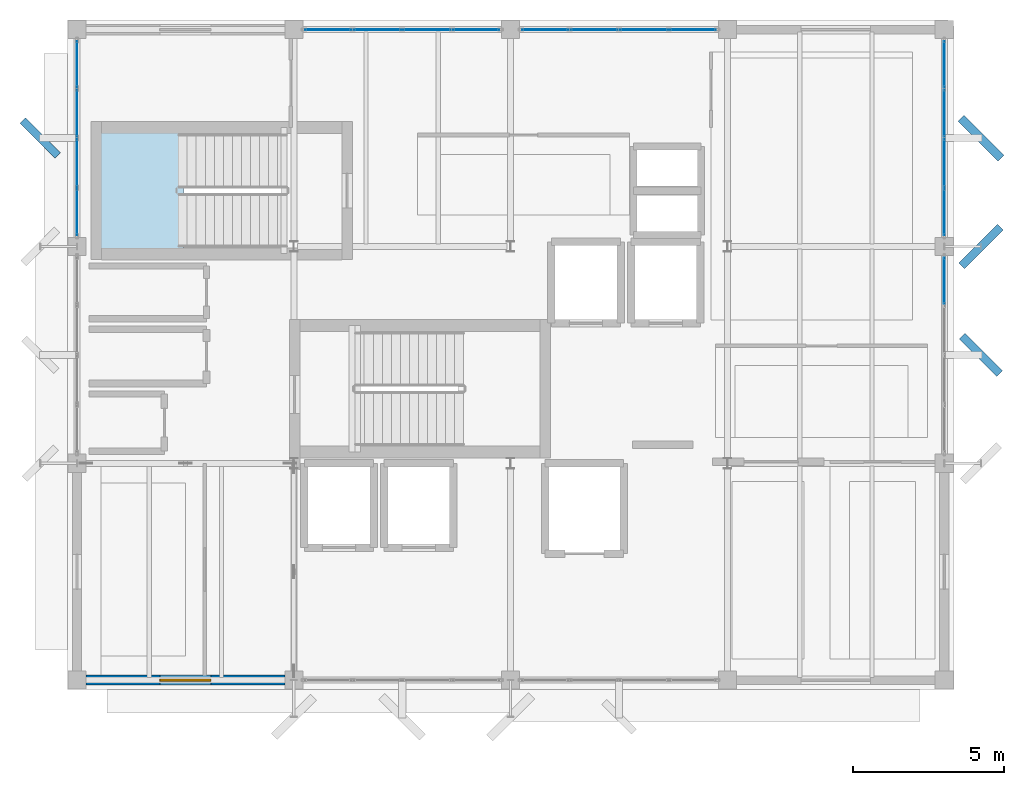
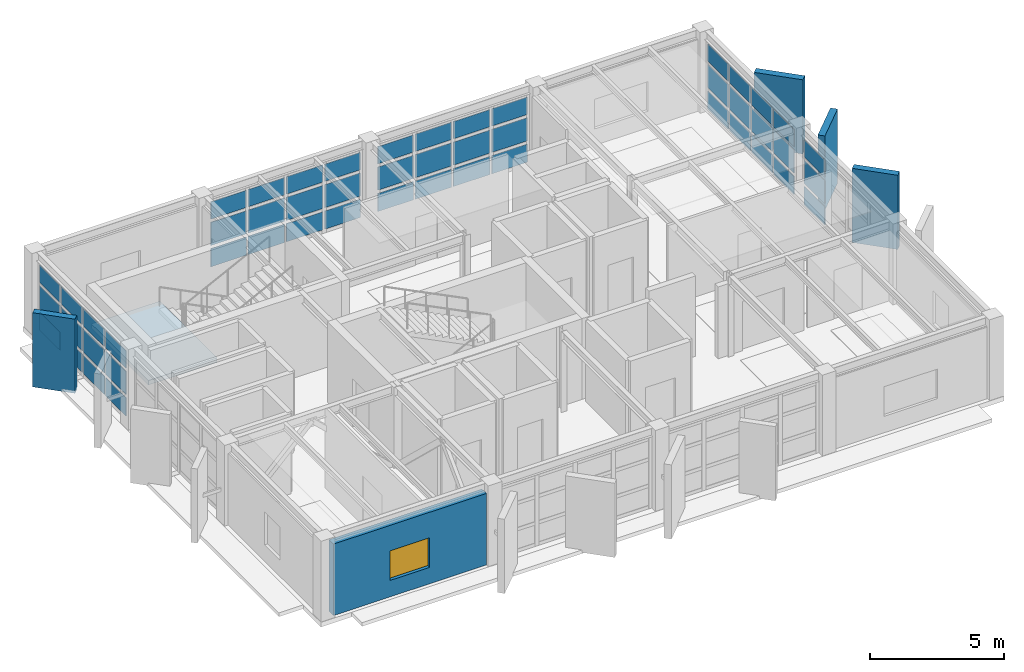
# One storey, part 10 of 15: 55 plates, 1 slab, 1 wall, 1 window, 1 opening, 6 elements without a shape of their own.
"""IFC4 building model written with IfcOpenShell, lengths in metres."""

from ifc_helpers import new_model, si_unit, direction, frame, frame_2d, origin, origin_2d, place, context, subcontext, project, spatial, polyline, rectangle, outline, extrude, material, layer, layer_set, type_object, element, fill, aggregate, save


model = new_model("IFC4")

# Units and contexts
model_context = context("Model", 3, precision=1e-05, world=origin(), true_north=direction((0.0, 1.0)))
body_context = subcontext(model_context, "Body", "Model", "MODEL_VIEW")
ifc_project = project(units=[si_unit("LENGTHUNIT", "METRE"), si_unit("AREAUNIT", "SQUARE_METRE"), si_unit("VOLUMEUNIT", "CUBIC_METRE"), si_unit("PLANEANGLEUNIT", "RADIAN"), si_unit("MASSUNIT", "GRAM", prefix="KILO")], contexts=[model_context])

# Site, building, storey
site_placement = place(None, origin())
site = spatial("IfcSite", under=ifc_project, at=site_placement, CompositionType="ELEMENT")
building_placement = place(site_placement, origin())
building = spatial("IfcBuilding", under=site, at=building_placement, Name="Kandorven Conservatory and Botanical Research Centre", CompositionType="ELEMENT")
storey_placement = place(building_placement, frame((0.0, 0.0, 48.300048828125)))
storey = spatial("IfcBuildingStorey", under=building, at=storey_placement, Name="L12", CompositionType="ELEMENT", Elevation=48.300048828125)

# Curtain wall, plates
ifc_material_1 = material(Name="Bronze anodised thermally broken aluminium", Category="aluminium")
ifc_layer_1 = layer(ifc_material_1, 0.179931640625)
ifc_layer_set_1 = layer_set([ifc_layer_1], Name="Bronze anodised thermally broken aluminium")
curtain_wall_type = type_object("IfcCurtainWallType", Name="CW_Unitised", PredefinedType="USERDEFINED", material=ifc_layer_set_1)
curtain_wall_1_placement = place(storey_placement, origin())
curtain_wall_1 = element("IfcCurtainWall", 1, at=curtain_wall_1_placement, inside=storey, type_object=curtain_wall_type, Name="Tower laboratory curtain wall CW-TWR-N-L12-2", ObjectType="UNITISED GLAZING", PredefinedType="USERDEFINED")
ifc_material_2 = material(Name="Double-glazed solar-control low-E glass", Category="glass")
ifc_layer_2 = layer(ifc_material_2, 0.028076171875)
ifc_layer_set_2 = layer_set([ifc_layer_2], Name="Double-glazed solar-control low-E glass")
plate_type_1 = type_object("IfcPlateType", Name="CW_Panel", PredefinedType="CURTAIN_PANEL", material=ifc_layer_set_2)
plate_1_placement = place(storey_placement, frame((14.344970703125, 27.60009765625, 0.14990234375), z_axis=(0.0, 0.0, 1.0), x_axis=(1.0, 0.0, 0.0)))
plate_1 = element("IfcPlate", 2, at=plate_1_placement, type_object=plate_type_1, Name="CW-01 panel 1.1", PredefinedType="CURTAIN_PANEL", context=body_context, shape_type="SweptSolid", body=[
    extrude(rectangle(XDim=1.530029296875, YDim=0.028076171875, at=origin_2d()), origin(), (0.0, 0.0, 1.0), 0.824951171875),
])
plate_2_placement = place(storey_placement, frame((14.344970703125, 27.60009765625, 1.125), z_axis=(0.0, 0.0, 1.0), x_axis=(1.0, 0.0, 0.0)))
plate_2 = element("IfcPlate", 3, at=plate_2_placement, type_object=plate_type_1, Name="CW-01 panel 1.2", PredefinedType="CURTAIN_PANEL", context=body_context, shape_type="SweptSolid", body=[
    extrude(rectangle(XDim=1.530029296875, YDim=0.028076171875, at=origin_2d()), origin(), (0.0, 0.0, 1.0), 1.050048828125),
])
plate_3_placement = place(storey_placement, frame((14.344970703125, 27.60009765625, 2.3251953125), z_axis=(0.0, 0.0, 1.0), x_axis=(1.0, 0.0, 0.0)))
plate_3 = element("IfcPlate", 4, at=plate_3_placement, type_object=plate_type_1, Name="CW-01 panel 1.3", PredefinedType="CURTAIN_PANEL", context=body_context, shape_type="SweptSolid", body=[
    extrude(rectangle(XDim=1.530029296875, YDim=0.028076171875, at=origin_2d()), origin(), (0.0, 0.0, 1.0), 0.784912109375),
])
plate_4_placement = place(storey_placement, frame((15.97509765625, 27.60009765625, 0.14990234375), z_axis=(0.0, 0.0, 1.0), x_axis=(1.0, 0.0, 0.0)))
plate_4 = element("IfcPlate", 5, at=plate_4_placement, type_object=plate_type_1, Name="CW-01 panel 2.1", PredefinedType="CURTAIN_PANEL", context=body_context, shape_type="SweptSolid", body=[
    extrude(rectangle(XDim=1.570068359375, YDim=0.028076171875, at=origin_2d()), origin(), (0.0, 0.0, 1.0), 0.824951171875),
])
plate_5_placement = place(storey_placement, frame((15.97509765625, 27.60009765625, 1.125), z_axis=(0.0, 0.0, 1.0), x_axis=(1.0, 0.0, 0.0)))
plate_5 = element("IfcPlate", 6, at=plate_5_placement, type_object=plate_type_1, Name="CW-01 panel 2.2", PredefinedType="CURTAIN_PANEL", context=body_context, shape_type="SweptSolid", body=[
    extrude(rectangle(XDim=1.570068359375, YDim=0.028076171875, at=origin_2d()), origin(), (0.0, 0.0, 1.0), 1.050048828125),
])
plate_6_placement = place(storey_placement, frame((15.97509765625, 27.60009765625, 2.3251953125), z_axis=(0.0, 0.0, 1.0), x_axis=(1.0, 0.0, 0.0)))
plate_6 = element("IfcPlate", 7, at=plate_6_placement, type_object=plate_type_1, Name="CW-01 panel 2.3", PredefinedType="CURTAIN_PANEL", context=body_context, shape_type="SweptSolid", body=[
    extrude(rectangle(XDim=1.570068359375, YDim=0.028076171875, at=origin_2d()), origin(), (0.0, 0.0, 1.0), 0.784912109375),
])
plate_7_placement = place(storey_placement, frame((17.625, 27.60009765625, 0.14990234375), z_axis=(0.0, 0.0, 1.0), x_axis=(1.0, 0.0, 0.0)))
plate_7 = element("IfcPlate", 8, at=plate_7_placement, type_object=plate_type_1, Name="CW-01 panel 3.1", PredefinedType="CURTAIN_PANEL", context=body_context, shape_type="SweptSolid", body=[
    extrude(rectangle(XDim=1.570068359375, YDim=0.028076171875, at=origin_2d()), origin(), (0.0, 0.0, 1.0), 0.824951171875),
])
plate_8_placement = place(storey_placement, frame((17.625, 27.60009765625, 1.125), z_axis=(0.0, 0.0, 1.0), x_axis=(1.0, 0.0, 0.0)))
plate_8 = element("IfcPlate", 9, at=plate_8_placement, type_object=plate_type_1, Name="CW-01 panel 3.2", PredefinedType="CURTAIN_PANEL", context=body_context, shape_type="SweptSolid", body=[
    extrude(rectangle(XDim=1.570068359375, YDim=0.028076171875, at=origin_2d()), origin(), (0.0, 0.0, 1.0), 1.050048828125),
])
plate_9_placement = place(storey_placement, frame((17.625, 27.60009765625, 2.3251953125), z_axis=(0.0, 0.0, 1.0), x_axis=(1.0, 0.0, 0.0)))
plate_9 = element("IfcPlate", 10, at=plate_9_placement, type_object=plate_type_1, Name="CW-01 panel 3.3", PredefinedType="CURTAIN_PANEL", context=body_context, shape_type="SweptSolid", body=[
    extrude(rectangle(XDim=1.570068359375, YDim=0.028076171875, at=origin_2d()), origin(), (0.0, 0.0, 1.0), 0.784912109375),
])
plate_10_placement = place(storey_placement, frame((19.2548828125, 27.60009765625, 0.14990234375), z_axis=(0.0, 0.0, 1.0), x_axis=(1.0, 0.0, 0.0)))
plate_10 = element("IfcPlate", 11, at=plate_10_placement, type_object=plate_type_1, Name="CW-01 panel 4.1", PredefinedType="CURTAIN_PANEL", context=body_context, shape_type="SweptSolid", body=[
    extrude(rectangle(XDim=1.530029296875, YDim=0.028076171875, at=origin_2d()), origin(), (0.0, 0.0, 1.0), 0.824951171875),
])
plate_11_placement = place(storey_placement, frame((19.2548828125, 27.60009765625, 1.125), z_axis=(0.0, 0.0, 1.0), x_axis=(1.0, 0.0, 0.0)))
plate_11 = element("IfcPlate", 12, at=plate_11_placement, type_object=plate_type_1, Name="CW-01 panel 4.2", PredefinedType="CURTAIN_PANEL", context=body_context, shape_type="SweptSolid", body=[
    extrude(rectangle(XDim=1.530029296875, YDim=0.028076171875, at=origin_2d()), origin(), (0.0, 0.0, 1.0), 1.050048828125),
])
plate_12_placement = place(storey_placement, frame((19.2548828125, 27.60009765625, 2.3251953125), z_axis=(0.0, 0.0, 1.0), x_axis=(1.0, 0.0, 0.0)))
plate_12 = element("IfcPlate", 13, at=plate_12_placement, type_object=plate_type_1, Name="CW-01 panel 4.3", PredefinedType="CURTAIN_PANEL", context=body_context, shape_type="SweptSolid", body=[
    extrude(rectangle(XDim=1.530029296875, YDim=0.028076171875, at=origin_2d()), origin(), (0.0, 0.0, 1.0), 0.784912109375),
])
aggregate(curtain_wall_1, [plate_1, plate_2, plate_3, plate_4, plate_5, plate_6, plate_7, plate_8, plate_9, plate_10, plate_11, plate_12])

curtain_wall_2_placement = place(storey_placement, origin())
curtain_wall_2 = element("IfcCurtainWall", 14, at=curtain_wall_2_placement, inside=storey, type_object=curtain_wall_type, Name="Tower laboratory curtain wall CW-TWR-N-L12-3", ObjectType="UNITISED GLAZING", PredefinedType="USERDEFINED")
plate_13_placement = place(storey_placement, frame((21.544921875, 27.60009765625, 0.14990234375), z_axis=(0.0, 0.0, 1.0), x_axis=(1.0, 0.0, 0.0)))
plate_13 = element("IfcPlate", 15, at=plate_13_placement, type_object=plate_type_1, Name="CW-01 panel 1.1", PredefinedType="CURTAIN_PANEL", context=body_context, shape_type="SweptSolid", body=[
    extrude(rectangle(XDim=1.530029296875, YDim=0.028076171875, at=origin_2d()), origin(), (0.0, 0.0, 1.0), 0.824951171875),
])
plate_14_placement = place(storey_placement, frame((21.544921875, 27.60009765625, 1.125), z_axis=(0.0, 0.0, 1.0), x_axis=(1.0, 0.0, 0.0)))
plate_14 = element("IfcPlate", 16, at=plate_14_placement, type_object=plate_type_1, Name="CW-01 panel 1.2", PredefinedType="CURTAIN_PANEL", context=body_context, shape_type="SweptSolid", body=[
    extrude(rectangle(XDim=1.530029296875, YDim=0.028076171875, at=origin_2d()), origin(), (0.0, 0.0, 1.0), 1.050048828125),
])
plate_15_placement = place(storey_placement, frame((21.544921875, 27.60009765625, 2.3251953125), z_axis=(0.0, 0.0, 1.0), x_axis=(1.0, 0.0, 0.0)))
plate_15 = element("IfcPlate", 17, at=plate_15_placement, type_object=plate_type_1, Name="CW-01 panel 1.3", PredefinedType="CURTAIN_PANEL", context=body_context, shape_type="SweptSolid", body=[
    extrude(rectangle(XDim=1.530029296875, YDim=0.028076171875, at=origin_2d()), origin(), (0.0, 0.0, 1.0), 0.784912109375),
])
plate_16_placement = place(storey_placement, frame((23.175048828125, 27.60009765625, 0.14990234375), z_axis=(0.0, 0.0, 1.0), x_axis=(1.0, 0.0, 0.0)))
plate_16 = element("IfcPlate", 18, at=plate_16_placement, type_object=plate_type_1, Name="CW-01 panel 2.1", PredefinedType="CURTAIN_PANEL", context=body_context, shape_type="SweptSolid", body=[
    extrude(rectangle(XDim=1.570068359375, YDim=0.028076171875, at=origin_2d()), origin(), (0.0, 0.0, 1.0), 0.824951171875),
])
plate_17_placement = place(storey_placement, frame((23.175048828125, 27.60009765625, 1.125), z_axis=(0.0, 0.0, 1.0), x_axis=(1.0, 0.0, 0.0)))
plate_17 = element("IfcPlate", 19, at=plate_17_placement, type_object=plate_type_1, Name="CW-01 panel 2.2", PredefinedType="CURTAIN_PANEL", context=body_context, shape_type="SweptSolid", body=[
    extrude(rectangle(XDim=1.570068359375, YDim=0.028076171875, at=origin_2d()), origin(), (0.0, 0.0, 1.0), 1.050048828125),
])
plate_18_placement = place(storey_placement, frame((23.175048828125, 27.60009765625, 2.3251953125), z_axis=(0.0, 0.0, 1.0), x_axis=(1.0, 0.0, 0.0)))
plate_18 = element("IfcPlate", 20, at=plate_18_placement, type_object=plate_type_1, Name="CW-01 panel 2.3", PredefinedType="CURTAIN_PANEL", context=body_context, shape_type="SweptSolid", body=[
    extrude(rectangle(XDim=1.570068359375, YDim=0.028076171875, at=origin_2d()), origin(), (0.0, 0.0, 1.0), 0.784912109375),
])
plate_19_placement = place(storey_placement, frame((24.824951171875, 27.60009765625, 0.14990234375), z_axis=(0.0, 0.0, 1.0), x_axis=(1.0, 0.0, 0.0)))
plate_19 = element("IfcPlate", 21, at=plate_19_placement, type_object=plate_type_1, Name="CW-01 panel 3.1", PredefinedType="CURTAIN_PANEL", context=body_context, shape_type="SweptSolid", body=[
    extrude(rectangle(XDim=1.570068359375, YDim=0.028076171875, at=origin_2d()), origin(), (0.0, 0.0, 1.0), 0.824951171875),
])
plate_20_placement = place(storey_placement, frame((24.824951171875, 27.60009765625, 1.125), z_axis=(0.0, 0.0, 1.0), x_axis=(1.0, 0.0, 0.0)))
plate_20 = element("IfcPlate", 22, at=plate_20_placement, type_object=plate_type_1, Name="CW-01 panel 3.2", PredefinedType="CURTAIN_PANEL", context=body_context, shape_type="SweptSolid", body=[
    extrude(rectangle(XDim=1.570068359375, YDim=0.028076171875, at=origin_2d()), origin(), (0.0, 0.0, 1.0), 1.050048828125),
])
plate_21_placement = place(storey_placement, frame((24.824951171875, 27.60009765625, 2.3251953125), z_axis=(0.0, 0.0, 1.0), x_axis=(1.0, 0.0, 0.0)))
plate_21 = element("IfcPlate", 23, at=plate_21_placement, type_object=plate_type_1, Name="CW-01 panel 3.3", PredefinedType="CURTAIN_PANEL", context=body_context, shape_type="SweptSolid", body=[
    extrude(rectangle(XDim=1.570068359375, YDim=0.028076171875, at=origin_2d()), origin(), (0.0, 0.0, 1.0), 0.784912109375),
])
plate_22_placement = place(storey_placement, frame((26.455078125, 27.60009765625, 0.14990234375), z_axis=(0.0, 0.0, 1.0), x_axis=(1.0, 0.0, 0.0)))
plate_22 = element("IfcPlate", 24, at=plate_22_placement, type_object=plate_type_1, Name="CW-01 panel 4.1", PredefinedType="CURTAIN_PANEL", context=body_context, shape_type="SweptSolid", body=[
    extrude(rectangle(XDim=1.530029296875, YDim=0.028076171875, at=origin_2d()), origin(), (0.0, 0.0, 1.0), 0.824951171875),
])
plate_23_placement = place(storey_placement, frame((26.455078125, 27.60009765625, 1.125), z_axis=(0.0, 0.0, 1.0), x_axis=(1.0, 0.0, 0.0)))
plate_23 = element("IfcPlate", 25, at=plate_23_placement, type_object=plate_type_1, Name="CW-01 panel 4.2", PredefinedType="CURTAIN_PANEL", context=body_context, shape_type="SweptSolid", body=[
    extrude(rectangle(XDim=1.530029296875, YDim=0.028076171875, at=origin_2d()), origin(), (0.0, 0.0, 1.0), 1.050048828125),
])
plate_24_placement = place(storey_placement, frame((26.455078125, 27.60009765625, 2.3251953125), z_axis=(0.0, 0.0, 1.0), x_axis=(1.0, 0.0, 0.0)))
plate_24 = element("IfcPlate", 26, at=plate_24_placement, type_object=plate_type_1, Name="CW-01 panel 4.3", PredefinedType="CURTAIN_PANEL", context=body_context, shape_type="SweptSolid", body=[
    extrude(rectangle(XDim=1.530029296875, YDim=0.028076171875, at=origin_2d()), origin(), (0.0, 0.0, 1.0), 0.784912109375),
])
aggregate(curtain_wall_2, [plate_13, plate_14, plate_15, plate_16, plate_17, plate_18, plate_19, plate_20, plate_21, plate_22, plate_23, plate_24])

curtain_wall_3_placement = place(storey_placement, origin())
curtain_wall_3 = element("IfcCurtainWall", 27, at=curtain_wall_3_placement, inside=storey, type_object=curtain_wall_type, Name="Tower laboratory curtain wall CW-TWR-W-L12-3", ObjectType="UNITISED GLAZING", PredefinedType="USERDEFINED")
plate_25_placement = place(storey_placement, frame((6.0, 21.544921875, 0.14990234375), z_axis=(0.0, 0.0, 1.0), x_axis=(0.0, 1.0, 0.0)))
plate_25 = element("IfcPlate", 28, at=plate_25_placement, type_object=plate_type_1, Name="CW-01 panel 1.1", PredefinedType="CURTAIN_PANEL", context=body_context, shape_type="SweptSolid", body=[
    extrude(rectangle(XDim=1.530029296875, YDim=0.028076171875, at=origin_2d()), origin(), (0.0, 0.0, 1.0), 0.824951171875),
])
plate_26_placement = place(storey_placement, frame((6.0, 21.544921875, 1.125), z_axis=(0.0, 0.0, 1.0), x_axis=(0.0, 1.0, 0.0)))
plate_26 = element("IfcPlate", 29, at=plate_26_placement, type_object=plate_type_1, Name="CW-01 panel 1.2", PredefinedType="CURTAIN_PANEL", context=body_context, shape_type="SweptSolid", body=[
    extrude(rectangle(XDim=1.530029296875, YDim=0.028076171875, at=origin_2d()), origin(), (0.0, 0.0, 1.0), 1.050048828125),
])
plate_27_placement = place(storey_placement, frame((6.0, 21.544921875, 2.3251953125), z_axis=(0.0, 0.0, 1.0), x_axis=(0.0, 1.0, 0.0)))
plate_27 = element("IfcPlate", 30, at=plate_27_placement, type_object=plate_type_1, Name="CW-01 panel 1.3", PredefinedType="CURTAIN_PANEL", context=body_context, shape_type="SweptSolid", body=[
    extrude(rectangle(XDim=1.530029296875, YDim=0.028076171875, at=origin_2d()), origin(), (0.0, 0.0, 1.0), 0.784912109375),
])
plate_28_placement = place(storey_placement, frame((6.0, 23.175048828125, 0.14990234375), z_axis=(0.0, 0.0, 1.0), x_axis=(0.0, 1.0, 0.0)))
plate_28 = element("IfcPlate", 31, at=plate_28_placement, type_object=plate_type_1, Name="CW-01 panel 2.1", PredefinedType="CURTAIN_PANEL", context=body_context, shape_type="SweptSolid", body=[
    extrude(rectangle(XDim=1.570068359375, YDim=0.028076171875, at=origin_2d()), origin(), (0.0, 0.0, 1.0), 0.824951171875),
])
plate_29_placement = place(storey_placement, frame((6.0, 23.175048828125, 1.125), z_axis=(0.0, 0.0, 1.0), x_axis=(0.0, 1.0, 0.0)))
plate_29 = element("IfcPlate", 32, at=plate_29_placement, type_object=plate_type_1, Name="CW-01 panel 2.2", PredefinedType="CURTAIN_PANEL", context=body_context, shape_type="SweptSolid", body=[
    extrude(rectangle(XDim=1.570068359375, YDim=0.028076171875, at=origin_2d()), origin(), (0.0, 0.0, 1.0), 1.050048828125),
])
plate_30_placement = place(storey_placement, frame((6.0, 23.175048828125, 2.3251953125), z_axis=(0.0, 0.0, 1.0), x_axis=(0.0, 1.0, 0.0)))
plate_30 = element("IfcPlate", 33, at=plate_30_placement, type_object=plate_type_1, Name="CW-01 panel 2.3", PredefinedType="CURTAIN_PANEL", context=body_context, shape_type="SweptSolid", body=[
    extrude(rectangle(XDim=1.570068359375, YDim=0.028076171875, at=origin_2d()), origin(), (0.0, 0.0, 1.0), 0.784912109375),
])
plate_31_placement = place(storey_placement, frame((6.0, 24.824951171875, 0.14990234375), z_axis=(0.0, 0.0, 1.0), x_axis=(0.0, 1.0, 0.0)))
plate_31 = element("IfcPlate", 34, at=plate_31_placement, type_object=plate_type_1, Name="CW-01 panel 3.1", PredefinedType="CURTAIN_PANEL", context=body_context, shape_type="SweptSolid", body=[
    extrude(rectangle(XDim=1.570068359375, YDim=0.028076171875, at=origin_2d()), origin(), (0.0, 0.0, 1.0), 0.824951171875),
])
plate_32_placement = place(storey_placement, frame((6.0, 24.824951171875, 1.125), z_axis=(0.0, 0.0, 1.0), x_axis=(0.0, 1.0, 0.0)))
plate_32 = element("IfcPlate", 35, at=plate_32_placement, type_object=plate_type_1, Name="CW-01 panel 3.2", PredefinedType="CURTAIN_PANEL", context=body_context, shape_type="SweptSolid", body=[
    extrude(rectangle(XDim=1.570068359375, YDim=0.028076171875, at=origin_2d()), origin(), (0.0, 0.0, 1.0), 1.050048828125),
])
plate_33_placement = place(storey_placement, frame((6.0, 24.824951171875, 2.3251953125), z_axis=(0.0, 0.0, 1.0), x_axis=(0.0, 1.0, 0.0)))
plate_33 = element("IfcPlate", 36, at=plate_33_placement, type_object=plate_type_1, Name="CW-01 panel 3.3", PredefinedType="CURTAIN_PANEL", context=body_context, shape_type="SweptSolid", body=[
    extrude(rectangle(XDim=1.570068359375, YDim=0.028076171875, at=origin_2d()), origin(), (0.0, 0.0, 1.0), 0.784912109375),
])
plate_34_placement = place(storey_placement, frame((6.0, 26.455078125, 0.14990234375), z_axis=(0.0, 0.0, 1.0), x_axis=(0.0, 1.0, 0.0)))
plate_34 = element("IfcPlate", 37, at=plate_34_placement, type_object=plate_type_1, Name="CW-01 panel 4.1", PredefinedType="CURTAIN_PANEL", context=body_context, shape_type="SweptSolid", body=[
    extrude(rectangle(XDim=1.530029296875, YDim=0.028076171875, at=origin_2d()), origin(), (0.0, 0.0, 1.0), 0.824951171875),
])
plate_35_placement = place(storey_placement, frame((6.0, 26.455078125, 1.125), z_axis=(0.0, 0.0, 1.0), x_axis=(0.0, 1.0, 0.0)))
plate_35 = element("IfcPlate", 38, at=plate_35_placement, type_object=plate_type_1, Name="CW-01 panel 4.2", PredefinedType="CURTAIN_PANEL", context=body_context, shape_type="SweptSolid", body=[
    extrude(rectangle(XDim=1.530029296875, YDim=0.028076171875, at=origin_2d()), origin(), (0.0, 0.0, 1.0), 1.050048828125),
])
plate_36_placement = place(storey_placement, frame((6.0, 26.455078125, 2.3251953125), z_axis=(0.0, 0.0, 1.0), x_axis=(0.0, 1.0, 0.0)))
plate_36 = element("IfcPlate", 39, at=plate_36_placement, type_object=plate_type_1, Name="CW-01 panel 4.3", PredefinedType="CURTAIN_PANEL", context=body_context, shape_type="SweptSolid", body=[
    extrude(rectangle(XDim=1.530029296875, YDim=0.028076171875, at=origin_2d()), origin(), (0.0, 0.0, 1.0), 0.784912109375),
])
aggregate(curtain_wall_3, [plate_25, plate_26, plate_27, plate_28, plate_29, plate_30, plate_31, plate_32, plate_33, plate_34, plate_35, plate_36])

curtain_wall_4_placement = place(storey_placement, origin())
curtain_wall_4 = element("IfcCurtainWall", 40, at=curtain_wall_4_placement, inside=storey, type_object=curtain_wall_type, Name="Tower laboratory curtain wall CW-TWR-E-L12-2", ObjectType="UNITISED GLAZING", PredefinedType="USERDEFINED")
plate_37_placement = place(storey_placement, frame((34.800048828125, 19.2548828125, 0.14990234375), z_axis=(0.0, 0.0, 1.0), x_axis=(0.0, 1.0, 0.0)))
plate_37 = element("IfcPlate", 41, at=plate_37_placement, type_object=plate_type_1, Name="CW-01 panel 4.1", PredefinedType="CURTAIN_PANEL", context=body_context, shape_type="SweptSolid", body=[
    extrude(rectangle(XDim=1.530029296875, YDim=0.028076171875, at=origin_2d()), origin(), (0.0, 0.0, 1.0), 0.824951171875),
])
plate_38_placement = place(storey_placement, frame((34.800048828125, 19.2548828125, 1.125), z_axis=(0.0, 0.0, 1.0), x_axis=(0.0, 1.0, 0.0)))
plate_38 = element("IfcPlate", 42, at=plate_38_placement, type_object=plate_type_1, Name="CW-01 panel 4.2", PredefinedType="CURTAIN_PANEL", context=body_context, shape_type="SweptSolid", body=[
    extrude(rectangle(XDim=1.530029296875, YDim=0.028076171875, at=origin_2d()), origin(), (0.0, 0.0, 1.0), 1.050048828125),
])
plate_39_placement = place(storey_placement, frame((34.800048828125, 19.2548828125, 2.3251953125), z_axis=(0.0, 0.0, 1.0), x_axis=(0.0, 1.0, 0.0)))
plate_39 = element("IfcPlate", 43, at=plate_39_placement, type_object=plate_type_1, Name="CW-01 panel 4.3", PredefinedType="CURTAIN_PANEL", context=body_context, shape_type="SweptSolid", body=[
    extrude(rectangle(XDim=1.530029296875, YDim=0.028076171875, at=origin_2d()), origin(), (0.0, 0.0, 1.0), 0.784912109375),
])
aggregate(curtain_wall_4, [plate_37, plate_38, plate_39])

curtain_wall_5_placement = place(storey_placement, origin())
curtain_wall_5 = element("IfcCurtainWall", 44, at=curtain_wall_5_placement, inside=storey, type_object=curtain_wall_type, Name="Tower laboratory curtain wall CW-TWR-E-L12-3", ObjectType="UNITISED GLAZING", PredefinedType="USERDEFINED")
plate_40_placement = place(storey_placement, frame((34.800048828125, 21.544921875, 0.14990234375), z_axis=(0.0, 0.0, 1.0), x_axis=(0.0, 1.0, 0.0)))
plate_40 = element("IfcPlate", 45, at=plate_40_placement, type_object=plate_type_1, Name="CW-01 panel 1.1", PredefinedType="CURTAIN_PANEL", context=body_context, shape_type="SweptSolid", body=[
    extrude(rectangle(XDim=1.530029296875, YDim=0.028076171875, at=origin_2d()), origin(), (0.0, 0.0, 1.0), 0.824951171875),
])
plate_41_placement = place(storey_placement, frame((34.800048828125, 21.544921875, 1.125), z_axis=(0.0, 0.0, 1.0), x_axis=(0.0, 1.0, 0.0)))
plate_41 = element("IfcPlate", 46, at=plate_41_placement, type_object=plate_type_1, Name="CW-01 panel 1.2", PredefinedType="CURTAIN_PANEL", context=body_context, shape_type="SweptSolid", body=[
    extrude(rectangle(XDim=1.530029296875, YDim=0.028076171875, at=origin_2d()), origin(), (0.0, 0.0, 1.0), 1.050048828125),
])
plate_42_placement = place(storey_placement, frame((34.800048828125, 21.544921875, 2.3251953125), z_axis=(0.0, 0.0, 1.0), x_axis=(0.0, 1.0, 0.0)))
plate_42 = element("IfcPlate", 47, at=plate_42_placement, type_object=plate_type_1, Name="CW-01 panel 1.3", PredefinedType="CURTAIN_PANEL", context=body_context, shape_type="SweptSolid", body=[
    extrude(rectangle(XDim=1.530029296875, YDim=0.028076171875, at=origin_2d()), origin(), (0.0, 0.0, 1.0), 0.784912109375),
])
plate_43_placement = place(storey_placement, frame((34.800048828125, 23.175048828125, 0.14990234375), z_axis=(0.0, 0.0, 1.0), x_axis=(0.0, 1.0, 0.0)))
plate_43 = element("IfcPlate", 48, at=plate_43_placement, type_object=plate_type_1, Name="CW-01 panel 2.1", PredefinedType="CURTAIN_PANEL", context=body_context, shape_type="SweptSolid", body=[
    extrude(rectangle(XDim=1.570068359375, YDim=0.028076171875, at=origin_2d()), origin(), (0.0, 0.0, 1.0), 0.824951171875),
])
plate_44_placement = place(storey_placement, frame((34.800048828125, 23.175048828125, 1.125), z_axis=(0.0, 0.0, 1.0), x_axis=(0.0, 1.0, 0.0)))
plate_44 = element("IfcPlate", 49, at=plate_44_placement, type_object=plate_type_1, Name="CW-01 panel 2.2", PredefinedType="CURTAIN_PANEL", context=body_context, shape_type="SweptSolid", body=[
    extrude(rectangle(XDim=1.570068359375, YDim=0.028076171875, at=origin_2d()), origin(), (0.0, 0.0, 1.0), 1.050048828125),
])
plate_45_placement = place(storey_placement, frame((34.800048828125, 23.175048828125, 2.3251953125), z_axis=(0.0, 0.0, 1.0), x_axis=(0.0, 1.0, 0.0)))
plate_45 = element("IfcPlate", 50, at=plate_45_placement, type_object=plate_type_1, Name="CW-01 panel 2.3", PredefinedType="CURTAIN_PANEL", context=body_context, shape_type="SweptSolid", body=[
    extrude(rectangle(XDim=1.570068359375, YDim=0.028076171875, at=origin_2d()), origin(), (0.0, 0.0, 1.0), 0.784912109375),
])
plate_46_placement = place(storey_placement, frame((34.800048828125, 24.824951171875, 0.14990234375), z_axis=(0.0, 0.0, 1.0), x_axis=(0.0, 1.0, 0.0)))
plate_46 = element("IfcPlate", 51, at=plate_46_placement, type_object=plate_type_1, Name="CW-01 panel 3.1", PredefinedType="CURTAIN_PANEL", context=body_context, shape_type="SweptSolid", body=[
    extrude(rectangle(XDim=1.570068359375, YDim=0.028076171875, at=origin_2d()), origin(), (0.0, 0.0, 1.0), 0.824951171875),
])
plate_47_placement = place(storey_placement, frame((34.800048828125, 24.824951171875, 1.125), z_axis=(0.0, 0.0, 1.0), x_axis=(0.0, 1.0, 0.0)))
plate_47 = element("IfcPlate", 52, at=plate_47_placement, type_object=plate_type_1, Name="CW-01 panel 3.2", PredefinedType="CURTAIN_PANEL", context=body_context, shape_type="SweptSolid", body=[
    extrude(rectangle(XDim=1.570068359375, YDim=0.028076171875, at=origin_2d()), origin(), (0.0, 0.0, 1.0), 1.050048828125),
])
plate_48_placement = place(storey_placement, frame((34.800048828125, 24.824951171875, 2.3251953125), z_axis=(0.0, 0.0, 1.0), x_axis=(0.0, 1.0, 0.0)))
plate_48 = element("IfcPlate", 53, at=plate_48_placement, type_object=plate_type_1, Name="CW-01 panel 3.3", PredefinedType="CURTAIN_PANEL", context=body_context, shape_type="SweptSolid", body=[
    extrude(rectangle(XDim=1.570068359375, YDim=0.028076171875, at=origin_2d()), origin(), (0.0, 0.0, 1.0), 0.784912109375),
])
plate_49_placement = place(storey_placement, frame((34.800048828125, 26.455078125, 0.14990234375), z_axis=(0.0, 0.0, 1.0), x_axis=(0.0, 1.0, 0.0)))
plate_49 = element("IfcPlate", 54, at=plate_49_placement, type_object=plate_type_1, Name="CW-01 panel 4.1", PredefinedType="CURTAIN_PANEL", context=body_context, shape_type="SweptSolid", body=[
    extrude(rectangle(XDim=1.530029296875, YDim=0.028076171875, at=origin_2d()), origin(), (0.0, 0.0, 1.0), 0.824951171875),
])
plate_50_placement = place(storey_placement, frame((34.800048828125, 26.455078125, 1.125), z_axis=(0.0, 0.0, 1.0), x_axis=(0.0, 1.0, 0.0)))
plate_50 = element("IfcPlate", 55, at=plate_50_placement, type_object=plate_type_1, Name="CW-01 panel 4.2", PredefinedType="CURTAIN_PANEL", context=body_context, shape_type="SweptSolid", body=[
    extrude(rectangle(XDim=1.530029296875, YDim=0.028076171875, at=origin_2d()), origin(), (0.0, 0.0, 1.0), 1.050048828125),
])
plate_51_placement = place(storey_placement, frame((34.800048828125, 26.455078125, 2.3251953125), z_axis=(0.0, 0.0, 1.0), x_axis=(0.0, 1.0, 0.0)))
plate_51 = element("IfcPlate", 56, at=plate_51_placement, type_object=plate_type_1, Name="CW-01 panel 4.3", PredefinedType="CURTAIN_PANEL", context=body_context, shape_type="SweptSolid", body=[
    extrude(rectangle(XDim=1.530029296875, YDim=0.028076171875, at=origin_2d()), origin(), (0.0, 0.0, 1.0), 0.784912109375),
])
aggregate(curtain_wall_5, [plate_40, plate_41, plate_42, plate_43, plate_44, plate_45, plate_46, plate_47, plate_48, plate_49, plate_50, plate_51])

# Plates
ifc_material_3 = material(Name="Precast concrete C40/50 (M50)", Category="concrete")
ifc_layer_3 = layer(ifc_material_3, 0.260009765625)
ifc_layer_set_3 = layer_set([ifc_layer_3], Name="Precast concrete C40/50 (M50)")
plate_type_2 = type_object("IfcPlateType", Name="Fin_BF-05", PredefinedType="USERDEFINED", material=ifc_layer_set_3)
plate_52_placement = place(storey_placement, frame((4.780029296875, 24.0, -0.119873046875), z_axis=(0.0, 0.0, 1.0), x_axis=(-0.707106781187, 0.707106781187, 0.0)))
element("IfcPlate", 57, at=plate_52_placement, inside=storey, type_object=plate_type_2, Name="Sculpted board-marked concrete brise-soleil fin BF-05", ObjectType="SOLAR FIN", PredefinedType="USERDEFINED", context=body_context, shape_type="SweptSolid", body=[
    extrude(rectangle(XDim=1.639892578125, YDim=0.260009765625, at=origin_2d()), origin(), (0.0, 0.0, 1.0), 3.3798828125),
])
ifc_material_4 = material(Name="Precast concrete C40/50 (M50)", Category="concrete")
ifc_layer_4 = layer(ifc_material_4, 0.27001953125)
ifc_layer_set_4 = layer_set([ifc_layer_4], Name="Precast concrete C40/50 (M50)")
plate_type_3 = type_object("IfcPlateType", Name="Fin_BF-07", PredefinedType="USERDEFINED", material=ifc_layer_set_4)
plate_53_placement = place(storey_placement, frame((36.02001953125, 16.800048828125, -0.119873046875), z_axis=(0.0, 0.0, 1.0), x_axis=(-0.707106781187, 0.707106781187, 0.0)))
element("IfcPlate", 58, at=plate_53_placement, inside=storey, type_object=plate_type_3, Name="Sculpted board-marked concrete brise-soleil fin BF-07", ObjectType="SOLAR FIN", PredefinedType="USERDEFINED", context=body_context, shape_type="SweptSolid", body=[
    extrude(rectangle(XDim=1.760009765625, YDim=0.27001953125, at=origin_2d()), origin(), (0.0, 0.0, 1.0), 3.3798828125),
])
ifc_material_5 = material(Name="Precast concrete C40/50 (M50)", Category="concrete")
ifc_layer_5 = layer(ifc_material_5, 0.27490234375)
ifc_layer_set_5 = layer_set([ifc_layer_5], Name="Precast concrete C40/50 (M50)")
plate_type_4 = type_object("IfcPlateType", Name="Fin_BF-08", PredefinedType="USERDEFINED", material=ifc_layer_set_5)
plate_54_placement = place(storey_placement, frame((36.02001953125, 20.39990234375, -0.119873046875), z_axis=(0.0, 0.0, 1.0), x_axis=(0.707106781187, 0.707106781187, 0.0)))
element("IfcPlate", 59, at=plate_54_placement, inside=storey, type_object=plate_type_4, Name="Sculpted board-marked concrete brise-soleil fin BF-08", ObjectType="SOLAR FIN", PredefinedType="USERDEFINED", context=body_context, shape_type="SweptSolid", body=[
    extrude(rectangle(XDim=1.820068359375, YDim=0.27490234375, at=origin_2d()), origin(), (0.0, 0.0, 1.0), 3.3798828125),
])
ifc_material_6 = material(Name="Precast concrete C40/50 (M50)", Category="concrete")
ifc_layer_6 = layer(ifc_material_6, 0.280029296875)
ifc_layer_set_6 = layer_set([ifc_layer_6], Name="Precast concrete C40/50 (M50)")
plate_type_5 = type_object("IfcPlateType", Name="Fin_BF-09", PredefinedType="USERDEFINED", material=ifc_layer_set_6)
plate_55_placement = place(storey_placement, frame((36.02001953125, 24.0, -0.119873046875), z_axis=(0.0, 0.0, 1.0), x_axis=(-0.707106781187, 0.707106781187, 0.0)))
element("IfcPlate", 60, at=plate_55_placement, inside=storey, type_object=plate_type_5, Name="Sculpted board-marked concrete brise-soleil fin BF-09", ObjectType="SOLAR FIN", PredefinedType="USERDEFINED", context=body_context, shape_type="SweptSolid", body=[
    extrude(rectangle(XDim=1.8798828125, YDim=0.280029296875, at=origin_2d()), origin(), (0.0, 0.0, 1.0), 3.3798828125),
])

# Stair, slab
ifc_material_7 = material(Name="Concrete C32/40 (M40)", Category="concrete")
stair_type = type_object("IfcStairType", Name="Stair_1820", PredefinedType="HALF_TURN_STAIR", material=ifc_material_7)
stair_placement = place(storey_placement, origin())
stair = element("IfcStair", 61, at=stair_placement, inside=storey, type_object=stair_type, Name="L12 Tower Fire Stair ST-T2", PredefinedType="HALF_TURN_STAIR")
ifc_material_8 = material(Name="Concrete C32/40 (M40)", Category="concrete")
ifc_layer_7 = layer(ifc_material_8, 0.199951171875)
ifc_layer_set_7 = layer_set([ifc_layer_7], Name="Concrete C32/40 (M40)")
slab_type = type_object("IfcSlabType", Name="StairLanding_200", PredefinedType="LANDING", material=ifc_layer_set_7)
slab_placement = place(storey_placement, frame((0.0, 0.0, 1.75)))
slab = element("IfcSlab", 62, at=slab_placement, type_object=slab_type, Name="ST-T2 landing 1", PredefinedType="LANDING", context=body_context, shape_type="SweptSolid", body=[
    extrude(outline(polyline([(9.54052734375, 24.389892578125), (6.580078125, 24.389892578125), (6.580078125, 20.1201171875), (9.54052734375, 20.1201171875), (9.54052734375, 24.389892578125)])), origin(), (0.0, 0.0, 1.0), 0.199951171875),
])
aggregate(stair, [slab])

# Wall, opening, window
ifc_material_9 = material(Name="Concrete C32/40 (M40)", Category="concrete")
ifc_layer_8 = layer(ifc_material_9, 0.340087890625)
ifc_layer_set_8 = layer_set([ifc_layer_8], Name="Concrete C32/40 (M40)")
wall_type = type_object("IfcWallType", Name="Wall_EW-02", PredefinedType="STANDARD", material=ifc_layer_set_8)
wall_placement = place(storey_placement, frame((6.300048828125, 6.0, 0.0), z_axis=(0.0, 0.0, 1.0), x_axis=(1.0, 0.0, 0.0)))
wall = element("IfcWall", 63, at=wall_placement, inside=storey, type_object=wall_type, Name="Tower concrete facade wall EW-02 S L12", PredefinedType="STANDARD", context=body_context, shape_type="SweptSolid", body=[
    extrude(rectangle(XDim=6.599853515625, YDim=0.340087890625, at=frame_2d((3.2998046875, 0.0))), origin(), (0.0, 0.0, 1.0), 3.260009765625),
])
opening_placement = place(wall_placement, frame((2.449951171875, 0.0, 0.75)))
opening = element("IfcOpeningElement", 64, at=opening_placement, cuts=wall, Name="Opening W-34", PredefinedType="OPENING", context=body_context, shape_type="SweptSolid", body=[
    extrude(rectangle(XDim=1.699951171875, YDim=1.35009765625, at=frame_2d((0.85009765625, 0.675048828125))), frame((0.0, 0.179931640625, 0.0), z_axis=(0.0, -1.0, 0.0), x_axis=(1.0, 0.0, 0.0)), (0.0, 0.0, 1.0), 0.360107421875),
])
ifc_material_10 = material(Name="Double-glazed solar-control low-E glass", Category="glass")
window_type = type_object("IfcWindowType", Name="Win_W-34", PartitioningType="DOUBLE_PANEL_VERTICAL", PredefinedType="WINDOW", material=ifc_material_10)
window_placement = place(opening_placement, origin())
window = element("IfcWindow", 65, at=window_placement, inside=storey, type_object=window_type, Name="Tower recessed solar window W-34", OverallHeight=1.35009765625, OverallWidth=1.699951171875, PartitioningType="SINGLE_PANEL", PredefinedType="WINDOW", context=body_context, shape_type="SweptSolid", body=[
    extrude(rectangle(XDim=1.699951171875, YDim=1.35009765625, at=frame_2d((0.85009765625, 0.675048828125))), frame((0.0, 0.030029296875, 0.0), z_axis=(0.0, -1.0, 0.0), x_axis=(1.0, 0.0, 0.0)), (0.0, 0.0, 1.0), 0.06005859375),
])
fill(opening, window)

save(model, "model.ifc")
